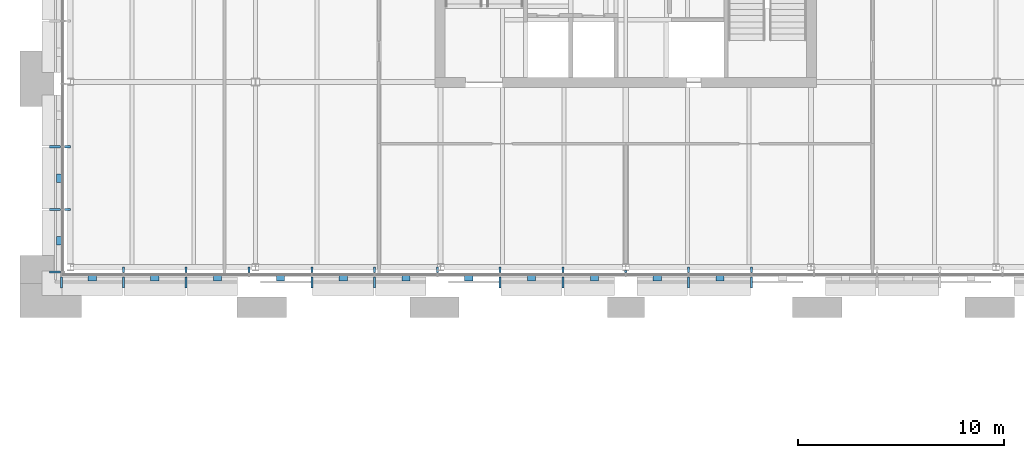
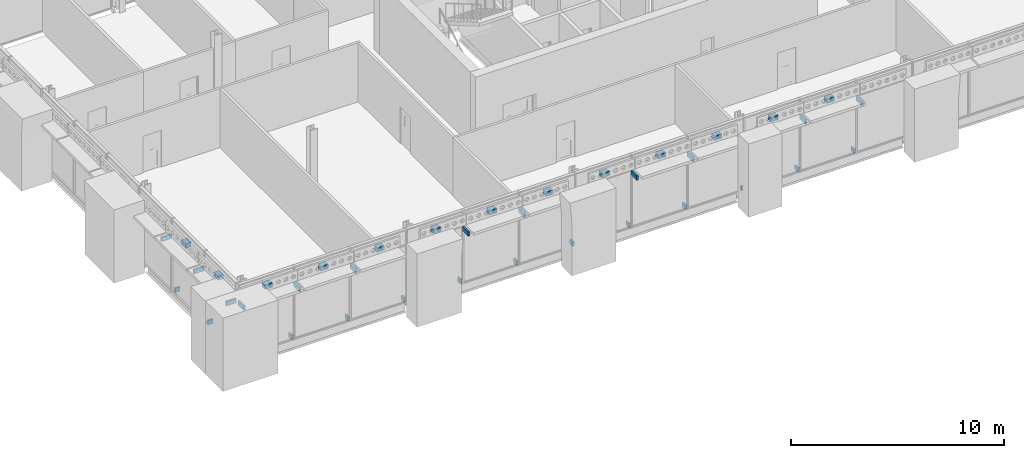
# One storey, part 26 of 37: 38 discrete accessories.
"""IFC4 building model written with IfcOpenShell, lengths in metres."""

import ifcopenshell
import ifcopenshell.guid

model = None  # the IFC model being written
_history = None  # IfcOwnerHistory: only IFC2X3 demands one
_inside = {}  # id of a spatial element -> (the spatial element, [elements in it])
_under = {}  # id of a project, library or spatial element -> (it, [spatial elements below it])
_declared = {}  # id of a project -> (the project, [libraries it declares])
_typed = {}  # id of a type object -> (the type object, [elements of that type])
_made_of = {}  # id of a material, layer set ... -> (it, [elements and type objects made of it])


def new_model(schema):
    """Start an empty IFC model of exactly this schema.

    Asked for "IFC4X3", IfcOpenShell would pick the latest addendum, in which some entities
    have other attributes; the version numbers below select the first issue.
    IFC2X3 requires an IfcOwnerHistory on every rooted entity: one is made here for all.
    """
    global model, _history
    if schema == "IFC4X3":
        model = ifcopenshell.file(schema_version=(4, 3, 0, 0))
    else:
        model = ifcopenshell.file(schema=schema)
    _inside.clear()
    _under.clear()
    _declared.clear()
    _typed.clear()
    _made_of.clear()
    _history = None
    if model.schema == "IFC2X3":
        org = make("IfcOrganization", Name="unknown")
        user = make(
            "IfcPersonAndOrganization",
            ThePerson=make("IfcPerson", FamilyName="unknown"),
            TheOrganization=org,
        )
        app = make(
            "IfcApplication",
            ApplicationDeveloper=org,
            Version="unknown",
            ApplicationFullName="unknown",
            ApplicationIdentifier="unknown",
        )
        _history = make(
            "IfcOwnerHistory",
            OwningUser=user,
            OwningApplication=app,
            ChangeAction="ADDED",
            CreationDate=0,
        )
    return model


def make(cls, **values):
    """One entity of the class cls with the attributes given. An attribute that is None is left unset."""
    return model.create_entity(
        cls, **{name: value for name, value in values.items() if value is not None}
    )


def rooted(cls, **values):
    """An entity with a GlobalId (a new one), such as an element, a storey or a relation."""
    return make(cls, GlobalId=ifcopenshell.guid.new(), OwnerHistory=_history, **values)


def si_unit(unit_type, name, prefix=None):
    """IfcSIUnit, for example si_unit("LENGTHUNIT", "METRE", prefix="MILLI")."""
    return make("IfcSIUnit", UnitType=unit_type, Prefix=prefix, Name=name)


def assignment(units):
    """IfcUnitAssignment: the units of a project."""
    return None if units is None else make("IfcUnitAssignment", Units=units)


def point(xyz):
    """IfcCartesianPoint."""
    return None if xyz is None else make("IfcCartesianPoint", Coordinates=xyz)


def direction(xyz):
    """IfcDirection."""
    return None if xyz is None else make("IfcDirection", DirectionRatios=xyz)


def frame(location, z_axis=None, x_axis=None):
    """IfcAxis2Placement3D, a coordinate frame: its origin and axes. An axis left out is left unset."""
    return make(
        "IfcAxis2Placement3D",
        Location=point(location),
        Axis=direction(z_axis),
        RefDirection=direction(x_axis),
    )


def frame_2d(location, x_axis=None):
    """IfcAxis2Placement2D, a coordinate frame in the plane: its origin and x axis."""
    return make(
        "IfcAxis2Placement2D", Location=point(location), RefDirection=direction(x_axis)
    )


def origin():
    """The frame at (0, 0, 0) with its axes left unset."""
    return frame((0.0, 0.0, 0.0))


def origin_2d():
    """The frame at (0, 0) in the plane with its x axis left unset."""
    return frame_2d((0.0, 0.0))


def place(relative_to, where):
    """IfcLocalPlacement: puts the frame where relative to a parent placement (None: the world)."""
    return make(
        "IfcLocalPlacement", PlacementRelTo=relative_to, RelativePlacement=where
    )


def context(
    kind, dimensions, precision=None, world=None, true_north=None, identifier=None
):
    """IfcGeometricRepresentationContext, for example the 3D "Model" context."""
    return make(
        "IfcGeometricRepresentationContext",
        ContextIdentifier=identifier,
        ContextType=kind,
        CoordinateSpaceDimension=dimensions,
        Precision=precision,
        WorldCoordinateSystem=world,
        TrueNorth=true_north,
    )


def subcontext(parent, identifier, kind, view, scale=None):
    """IfcGeometricRepresentationSubContext, for example "Body" below "Model"."""
    return make(
        "IfcGeometricRepresentationSubContext",
        ContextIdentifier=identifier,
        ContextType=kind,
        ParentContext=parent,
        TargetScale=scale,
        TargetView=view,
    )


def project(units=None, contexts=None):
    """IfcProject with its units and contexts."""
    return rooted(
        "IfcProject",
        Name="project",
        RepresentationContexts=contexts,
        UnitsInContext=assignment(units),
    )


def spatial(cls, under=None, at=None, **own):
    """A site, building, storey or space (cls), placed at a placement, below another one or the project."""
    s = rooted(cls, ObjectPlacement=at, **own)
    if under is not None:
        _under.setdefault(under.id(), (under, []))[1].append(s)
    return s


def profile(cls, at=None, kind="AREA", **sizes):
    """A parametric profile (cls). Its sizes go by their IFC names, for example OverallWidth=200.0."""
    return make(cls, ProfileType=kind, Position=at, **sizes)


def rectangle(**sizes):
    """IfcRectangleProfileDef."""
    return profile("IfcRectangleProfileDef", **sizes)


def extrude(swept, where, along, depth):
    """IfcExtrudedAreaSolid: the profile swept, set in the frame where, extruded along a direction by depth."""
    return make(
        "IfcExtrudedAreaSolid",
        SweptArea=swept,
        Position=where,
        ExtrudedDirection=direction(along),
        Depth=depth,
    )


def shape(context_of_items, identifier, shape_type, items):
    """IfcShapeRepresentation: the items that make up one representation, for example the "Body"."""
    return make(
        "IfcShapeRepresentation",
        ContextOfItems=context_of_items,
        RepresentationIdentifier=identifier,
        RepresentationType=shape_type,
        Items=items,
    )


def material(Name=None, Category=None):
    """IfcMaterial."""
    return make("IfcMaterial", Name=Name, Category=Category)


def made_of(thing, what):
    """Note that an element or type object is made of a material, layer set ...; save() writes the relation."""
    if what is not None:
        _made_of.setdefault(what.id(), (what, []))[1].append(thing)
    return thing


def type_object(cls, material=None, **own):
    """A type object (cls), such as IfcWallType, which elements share."""
    return made_of(rooted(cls, **own), material)


def element(
    cls,
    number,
    at=None,
    inside=None,
    cuts=None,
    type_object=None,
    material=None,
    context=None,
    identifier="Body",
    shape_type=None,
    held_by="IfcProductDefinitionShape",
    body=None,
    shapes=None,
    **own,
):
    """One element of the class cls, such as IfcWall. Its Tag is "e" and its number.

    at: its placement. inside: the storey or other place that contains it. cuts: it is an
    opening in that element (IfcRelVoidsElement). A single representation is given by context,
    identifier, shape_type and body (its items); several are given by shapes. held_by: the class
    of the entity that holds the representations. save() writes the other relations.
    """
    e = rooted(cls, Tag="e%d" % number, ObjectPlacement=at, **own)
    if body is not None:
        shapes = [shape(context, identifier, shape_type, body)]
    if shapes is not None:
        e.Representation = make(held_by, Representations=shapes)
    if inside is not None:
        _inside.setdefault(inside.id(), (inside, []))[1].append(e)
    if cuts is not None:
        rooted(
            "IfcRelVoidsElement", RelatingBuildingElement=cuts, RelatedOpeningElement=e
        )
    if type_object is not None:
        _typed.setdefault(type_object.id(), (type_object, []))[1].append(e)
    return made_of(e, material)


def aggregate(whole, parts):
    """IfcRelAggregates: a whole, such as a stair, and the parts it consists of."""
    return rooted("IfcRelAggregates", RelatingObject=whole, RelatedObjects=parts)


def save(model, path):
    """Write the relations noted so far, then the file.

    IfcRelAggregates (storeys below a building ...), IfcRelContainedInSpatialStructure (elements
    in a storey), IfcRelDefinesByType, IfcRelAssociatesMaterial and IfcRelDeclares: one each for
    every whole, place, type object, material and project.
    """
    for whole, parts in _under.values():
        aggregate(whole, parts)
    for where, things in _inside.values():
        rooted(
            "IfcRelContainedInSpatialStructure",
            RelatedElements=things,
            RelatingStructure=where,
        )
    for kind, things in _typed.values():
        rooted("IfcRelDefinesByType", RelatedObjects=things, RelatingType=kind)
    for what, things in _made_of.values():
        rooted("IfcRelAssociatesMaterial", RelatedObjects=things, RelatingMaterial=what)
    for by, libraries in _declared.values():
        rooted("IfcRelDeclares", RelatingContext=by, RelatedDefinitions=libraries)
    model.write(path)


model = new_model("IFC4")

# Units and contexts
model_context = context("Model", 3, precision=1e-05, world=origin(), true_north=direction((0.0, 1.0)))
body_context = subcontext(model_context, "Body", "Model", "MODEL_VIEW")
ifc_project = project(units=[si_unit("LENGTHUNIT", "METRE"), si_unit("AREAUNIT", "SQUARE_METRE"), si_unit("VOLUMEUNIT", "CUBIC_METRE"), si_unit("PLANEANGLEUNIT", "RADIAN"), si_unit("MASSUNIT", "GRAM", prefix="KILO")], contexts=[model_context])

# Site, building, storey
site_placement = place(None, origin())
site = spatial("IfcSite", under=ifc_project, at=site_placement, CompositionType="ELEMENT")
building_placement = place(site_placement, origin())
building = spatial("IfcBuilding", under=site, at=building_placement, Name="Baradari Gate Terminus", CompositionType="ELEMENT")
storey_placement = place(building_placement, frame((0.0, 0.0, 24.300048828125)))
storey = spatial("IfcBuildingStorey", under=building, at=storey_placement, Name="L05", CompositionType="ELEMENT", Elevation=24.300048828125)

# Discrete accessories
ifc_material_1 = material(Name="Steel S275", Category="steel")
discrete_accessory_type_1 = type_object("IfcDiscreteAccessoryType", Name="Chhajja bracket BK-3 galvanised steel", PredefinedType="BRACKET", material=ifc_material_1)
for number, where, z_axis, x_axis, name in (
    (1, (8.5625, 116.260009765625, 3.08251953125), (0.0, 0.0, 1.0), (0.0, -1.0, 0.0), "Chhajja bracket BK-3 L05/TS mullion 1"),
    (2, (11.582275390625, 116.260009765625, 3.08251953125), (0.0, 0.0, 1.0), (0.0, -1.0, 0.0), "Chhajja bracket BK-3 L05/TS mullion 2"),
    (3, (14.634521484375, 116.260009765625, 3.08251953125), (0.0, 0.0, 1.0), (0.0, -1.0, 0.0), "Chhajja bracket BK-3 L05/TS mullion 3"),
    (4, (20.73876953125, 116.260009765625, 3.08251953125), (0.0, 0.0, 1.0), (0.0, -1.0, 0.0), "Chhajja bracket BK-3 L05/TS mullion 5"),
    (5, (23.791015625, 116.260009765625, 3.08251953125), (0.0, 0.0, 1.0), (0.0, -1.0, 0.0), "Chhajja bracket BK-3 L05/TS mullion 6"),
    (6, (29.8955078125, 116.260009765625, 3.08251953125), (0.0, 0.0, 1.0), (0.0, -1.0, 0.0), "Chhajja bracket BK-3 L05/TS mullion 8"),
    (7, (32.94775390625, 116.260009765625, 3.08251953125), (0.0, 0.0, 1.0), (0.0, -1.0, 0.0), "Chhajja bracket BK-3 L05/TS mullion 9"),
    (8, (39.05224609375, 116.260009765625, 3.08251953125), (0.0, 0.0, 1.0), (0.0, -1.0, 0.0), "Chhajja bracket BK-3 L05/TS mullion 11"),
    (9, (42.1044921875, 116.260009765625, 3.08251953125), (0.0, 0.0, 1.0), (0.0, -1.0, 0.0), "Chhajja bracket BK-3 L05/TS mullion 12"),
    (10, (8.260009765625, 116.762451171875, 3.08251953125), (0.0, 0.0, 1.0), (-1.0, 0.0, 0.0), "Chhajja bracket BK-3 L05/TW mullion 1"),
    (11, (8.260009765625, 119.7900390625, 3.08251953125), (0.0, 0.0, 1.0), (-1.0, 0.0, 0.0), "Chhajja bracket BK-3 L05/TW mullion 2"),
    (12, (8.260009765625, 122.85009765625, 3.08251953125), (0.0, 0.0, 1.0), (-1.0, 0.0, 0.0), "Chhajja bracket BK-3 L05/TW mullion 3"),
):
    element("IfcDiscreteAccessory", number, at=place(storey_placement, frame(where, z_axis=z_axis, x_axis=x_axis)), inside=storey, type_object=discrete_accessory_type_1, Name=name, PredefinedType="BRACKET", context=body_context, shape_type="SweptSolid", body=[
        extrude(rectangle(XDim=0.5400390625, YDim=0.10009765625, at=origin_2d()), origin(), (0.0, 0.0, 1.0), 0.25),
    ])
ifc_material_2 = material(Name="Aluminium 6063-T6", Category="aluminium")
discrete_accessory_type_2 = type_object("IfcDiscreteAccessoryType", Name="Curtain wall bracket BK-1 100x250", PredefinedType="BRACKET", material=ifc_material_2)
for number, where, z_axis, x_axis, name in (
    (13, (11.582275390625, 116.864990234375, -0.10009765625), (0.0, 0.0, 1.0), (0.0, -1.0, 0.0), "Curtain wall bracket BK-1 L05/TS mullion 2"),
    (14, (14.634521484375, 116.864990234375, -0.10009765625), (0.0, 0.0, 1.0), (0.0, -1.0, 0.0), "Curtain wall bracket BK-1 L05/TS mullion 3"),
    (15, (17.686767578125, 116.864990234375, -0.10009765625), (0.0, 0.0, 1.0), (0.0, -1.0, 0.0), "Curtain wall bracket BK-1 L05/TS mullion 4"),
    (16, (20.73876953125, 116.864990234375, -0.10009765625), (0.0, 0.0, 1.0), (0.0, -1.0, 0.0), "Curtain wall bracket BK-1 L05/TS mullion 5"),
    (17, (23.791015625, 116.864990234375, -0.10009765625), (0.0, 0.0, 1.0), (0.0, -1.0, 0.0), "Curtain wall bracket BK-1 L05/TS mullion 6"),
    (18, (26.84326171875, 116.864990234375, -0.10009765625), (0.0, 0.0, 1.0), (0.0, -1.0, 0.0), "Curtain wall bracket BK-1 L05/TS mullion 7"),
    (19, (29.8955078125, 116.864990234375, -0.10009765625), (0.0, 0.0, 1.0), (0.0, -1.0, 0.0), "Curtain wall bracket BK-1 L05/TS mullion 8"),
    (20, (32.94775390625, 116.864990234375, -0.10009765625), (0.0, 0.0, 1.0), (0.0, -1.0, 0.0), "Curtain wall bracket BK-1 L05/TS mullion 9"),
):
    element("IfcDiscreteAccessory", number, at=place(storey_placement, frame(where, z_axis=z_axis, x_axis=x_axis)), inside=storey, type_object=discrete_accessory_type_2, Name=name, PredefinedType="BRACKET", context=body_context, shape_type="SweptSolid", body=[
        extrude(rectangle(XDim=0.27001953125, YDim=0.10009765625, at=origin_2d()), origin(), (0.0, 0.0, 1.0), 0.25),
    ])
discrete_accessory_placement = place(storey_placement, frame((36.0, 116.780029296875, -0.10009765625), z_axis=(0.0, 0.0, 1.0), x_axis=(0.0, -1.0, 0.0)))
element("IfcDiscreteAccessory", 21, at=discrete_accessory_placement, inside=storey, type_object=discrete_accessory_type_2, Name="Curtain wall bracket BK-1 L05/TS mullion 10", PredefinedType="BRACKET", context=body_context, shape_type="SweptSolid", body=[
    extrude(rectangle(XDim=0.10009765625, YDim=0.10009765625, at=origin_2d()), origin(), (0.0, 0.0, 1.0), 0.25),
])
for number, where, z_axis, x_axis, name in (
    (22, (39.05224609375, 116.864990234375, -0.10009765625), (0.0, 0.0, 1.0), (0.0, -1.0, 0.0), "Curtain wall bracket BK-1 L05/TS mullion 11"),
    (23, (42.1044921875, 116.864990234375, -0.10009765625), (0.0, 0.0, 1.0), (0.0, -1.0, 0.0), "Curtain wall bracket BK-1 L05/TS mullion 12"),
    (24, (8.864990234375, 119.7900390625, -0.10009765625), (0.0, 0.0, 1.0), (-1.0, 0.0, 0.0), "Curtain wall bracket BK-1 L05/TW mullion 2"),
    (25, (8.864990234375, 122.85009765625, -0.10009765625), (0.0, 0.0, 1.0), (-1.0, 0.0, 0.0), "Curtain wall bracket BK-1 L05/TW mullion 3"),
):
    element("IfcDiscreteAccessory", number, at=place(storey_placement, frame(where, z_axis=z_axis, x_axis=x_axis)), inside=storey, type_object=discrete_accessory_type_2, Name=name, PredefinedType="BRACKET", context=body_context, shape_type="SweptSolid", body=[
        extrude(rectangle(XDim=0.27001953125, YDim=0.10009765625, at=origin_2d()), origin(), (0.0, 0.0, 1.0), 0.25),
    ])
ifc_material_3 = material(Name="Stainless steel 316", Category="steel")
discrete_accessory_type_3 = type_object("IfcDiscreteAccessoryType", Name="Jali screen bracket BK-2 stainless steel", PredefinedType="BRACKET", material=ifc_material_3)
for number, where, z_axis, x_axis, name in (
    (26, (10.072265625, 116.472412109375, 3.608642578125), (0.0, 0.0, 1.0), (0.0, -1.0, 0.0), "Jali screen bracket BK-2 L05/TS bay 1"),
    (27, (13.1083984375, 116.472412109375, 3.608642578125), (0.0, 0.0, 1.0), (0.0, -1.0, 0.0), "Jali screen bracket BK-2 L05/TS bay 2"),
    (28, (16.16064453125, 116.472412109375, 3.608642578125), (0.0, 0.0, 1.0), (0.0, -1.0, 0.0), "Jali screen bracket BK-2 L05/TS bay 3"),
    (29, (19.212890625, 116.472412109375, 3.608642578125), (0.0, 0.0, 1.0), (0.0, -1.0, 0.0), "Jali screen bracket BK-2 L05/TS bay 4"),
    (30, (22.264892578125, 116.472412109375, 3.608642578125), (0.0, 0.0, 1.0), (0.0, -1.0, 0.0), "Jali screen bracket BK-2 L05/TS bay 5"),
    (31, (25.317138671875, 116.472412109375, 3.608642578125), (0.0, 0.0, 1.0), (0.0, -1.0, 0.0), "Jali screen bracket BK-2 L05/TS bay 6"),
    (32, (28.369384765625, 116.472412109375, 3.608642578125), (0.0, 0.0, 1.0), (0.0, -1.0, 0.0), "Jali screen bracket BK-2 L05/TS bay 7"),
    (33, (31.421630859375, 116.472412109375, 3.608642578125), (0.0, 0.0, 1.0), (0.0, -1.0, 0.0), "Jali screen bracket BK-2 L05/TS bay 8"),
    (34, (34.473876953125, 116.472412109375, 3.608642578125), (0.0, 0.0, 1.0), (0.0, -1.0, 0.0), "Jali screen bracket BK-2 L05/TS bay 9"),
    (35, (37.526123046875, 116.472412109375, 3.608642578125), (0.0, 0.0, 1.0), (0.0, -1.0, 0.0), "Jali screen bracket BK-2 L05/TS bay 10"),
    (36, (40.578369140625, 116.472412109375, 3.608642578125), (0.0, 0.0, 1.0), (0.0, -1.0, 0.0), "Jali screen bracket BK-2 L05/TS bay 11"),
    (37, (8.472412109375, 118.2763671875, 3.608642578125), (0.0, 0.0, 1.0), (-1.0, 0.0, 0.0), "Jali screen bracket BK-2 L05/TW bay 1"),
    (38, (8.472412109375, 121.320068359375, 3.608642578125), (0.0, 0.0, 1.0), (-1.0, 0.0, 0.0), "Jali screen bracket BK-2 L05/TW bay 2"),
):
    element("IfcDiscreteAccessory", number, at=place(storey_placement, frame(where, z_axis=z_axis, x_axis=x_axis)), inside=storey, type_object=discrete_accessory_type_3, Name=name, PredefinedType="BRACKET", context=body_context, shape_type="SweptSolid", body=[
        extrude(rectangle(XDim=0.284912109375, YDim=0.39990234375, at=origin_2d()), origin(), (0.0, 0.0, 1.0), 0.25),
    ])

save(model, "model.ifc")
